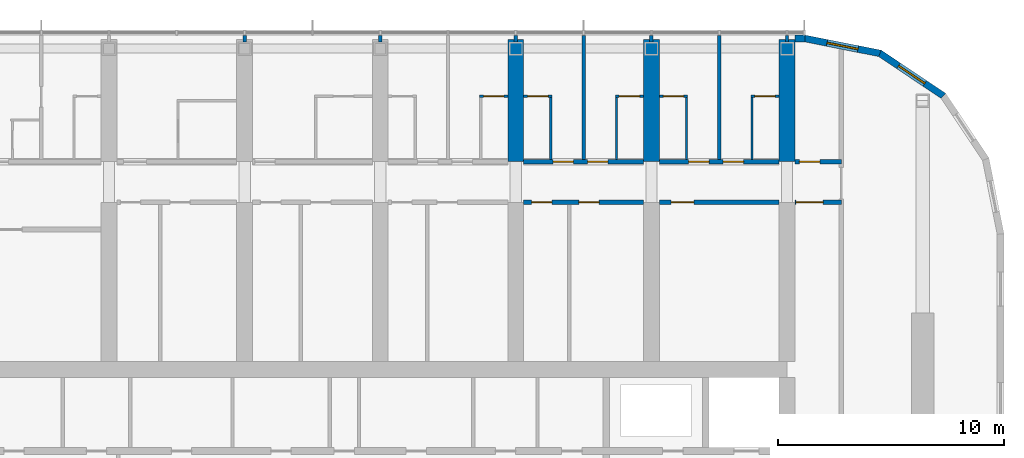
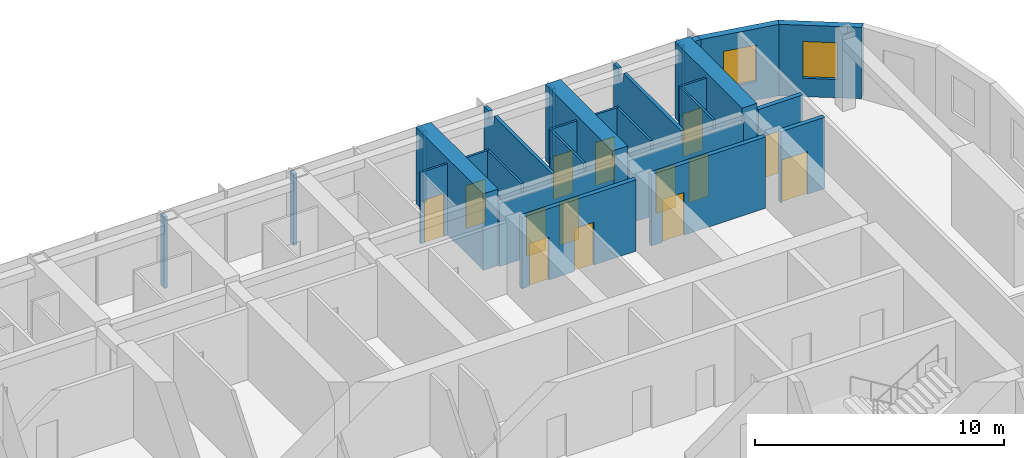
# One storey, part 18 of 24: 28 walls, 14 doors, 2 windows, 16 openings.
"""IFC4 building model written with IfcOpenShell, lengths in metres."""

from ifc_helpers import new_model, si_unit, direction, frame, frame_2d, origin, place, context, subcontext, project, spatial, polyline, rectangle, outline, extrude, material, layer, layer_set, type_object, element, fill, save


model = new_model("IFC4")

# Units and contexts
model_context = context("Model", 3, precision=1e-05, world=origin(), true_north=direction((0.0, 1.0)))
body_context = subcontext(model_context, "Body", "Model", "MODEL_VIEW")
ifc_project = project(units=[si_unit("LENGTHUNIT", "METRE"), si_unit("AREAUNIT", "SQUARE_METRE"), si_unit("VOLUMEUNIT", "CUBIC_METRE"), si_unit("PLANEANGLEUNIT", "RADIAN"), si_unit("MASSUNIT", "GRAM", prefix="KILO")], contexts=[model_context])

# Site, building, storey
site_placement = place(None, origin())
site = spatial("IfcSite", under=ifc_project, at=site_placement, CompositionType="ELEMENT")
building_placement = place(site_placement, origin())
building = spatial("IfcBuilding", under=site, at=building_placement, Name="Orbita Commons", CompositionType="ELEMENT")
storey_placement = place(building_placement, frame((0.0, 0.0, 235.300048828125)))
storey = spatial("IfcBuildingStorey", under=building, at=storey_placement, Name="L58", CompositionType="ELEMENT", Elevation=235.300048828125)

# Wall, openings, doors
ifc_material_1 = material(Name="Concrete blockwork", Category="masonry")
ifc_layer_1 = layer(ifc_material_1, 0.199951171875)
ifc_layer_set_1 = layer_set([ifc_layer_1], Name="Concrete blockwork")
wall_type_1 = type_object("IfcWallType", Name="Corridor wall 200 blockwork", PredefinedType="SOLIDWALL", material=ifc_layer_set_1)
wall_1_placement = place(storey_placement, frame((54.35009765625, 47.39990234375, 0.0), z_axis=(0.0, 0.0, 1.0), x_axis=(1.0, 0.0, 0.0)))
wall_1 = element("IfcWall", 1, at=wall_1_placement, inside=storey, type_object=wall_type_1, Name="Corridor wall 200 blockwork L58", PredefinedType="SOLIDWALL", context=body_context, shape_type="SweptSolid", body=[
    extrude(outline(polyline([(0.0, 0.0), (5.2998046875, 0.0), (5.300048828125, 3.099853515625), (0.0, 3.099853515625), (0.0, 0.0)])), frame((0.0, 0.10009765625, 0.0), z_axis=(0.0, -1.0, 0.0), x_axis=(1.0, 0.0, 0.0)), (0.0, 0.0, 1.0), 0.199951171875),
])
opening_1_placement = place(wall_1_placement, frame((1.300048828125, 0.0, 0.0)))
opening_1 = element("IfcOpeningElement", 2, at=opening_1_placement, cuts=wall_1, Name="Opening D11", PredefinedType="OPENING", context=body_context, shape_type="SweptSolid", body=[
    extrude(rectangle(XDim=0.89990234375, YDim=2.10009765625, at=frame_2d((0.449951171875, 1.050048828125))), frame((0.0, 0.10986328125, 0.0), z_axis=(0.0, -1.0, 0.0), x_axis=(1.0, 0.0, 0.0)), (0.0, 0.0, 1.0), 0.219970703125),
])
opening_2_placement = place(wall_1_placement, frame((2.824951171875, 0.0, 0.0)))
opening_2 = element("IfcOpeningElement", 3, at=opening_2_placement, cuts=wall_1, Name="Opening D11", PredefinedType="OPENING", context=body_context, shape_type="SweptSolid", body=[
    extrude(rectangle(XDim=0.89990234375, YDim=2.10009765625, at=frame_2d((0.449951171875, 1.050048828125))), frame((0.0, 0.10986328125, 0.0), z_axis=(0.0, -1.0, 0.0), x_axis=(1.0, 0.0, 0.0)), (0.0, 0.0, 1.0), 0.219970703125),
])
ifc_material_2 = material(Name="Steel-faced fire door leaf", Category="steel")
door_type_1 = type_object("IfcDoorType", Name="Corridor door 20 min 900x2100", OperationType="SINGLE_SWING_LEFT", PredefinedType="DOOR", material=ifc_material_2)
door_1_placement = place(opening_1_placement, origin())
door_1 = element("IfcDoor", 4, at=door_1_placement, inside=storey, type_object=door_type_1, Name="Cluster bedroom L58-N12 door", OperationType="SINGLE_SWING_LEFT", OverallHeight=2.10009765625, OverallWidth=0.89990234375, PredefinedType="DOOR", context=body_context, shape_type="SweptSolid", body=[
    extrude(rectangle(XDim=0.89990234375, YDim=2.10009765625, at=frame_2d((0.449951171875, 1.050048828125))), frame((0.0, 0.02490234375, 0.0), z_axis=(0.0, -1.0, 0.0), x_axis=(1.0, 0.0, 0.0)), (0.0, 0.0, 1.0), 0.050048828125),
])
fill(opening_1, door_1)
door_2_placement = place(opening_2_placement, origin())
door_2 = element("IfcDoor", 5, at=door_2_placement, inside=storey, type_object=door_type_1, Name="Cluster bedroom L58-N13 door", OperationType="SINGLE_SWING_LEFT", OverallHeight=2.10009765625, OverallWidth=0.89990234375, PredefinedType="DOOR", context=body_context, shape_type="SweptSolid", body=[
    extrude(rectangle(XDim=0.89990234375, YDim=2.10009765625, at=frame_2d((0.449951171875, 1.050048828125))), frame((0.0, 0.02490234375, 0.0), z_axis=(0.0, -1.0, 0.0), x_axis=(1.0, 0.0, 0.0)), (0.0, 0.0, 1.0), 0.050048828125),
])
fill(opening_2, door_2)

wall_2_placement = place(storey_placement, frame((60.35009765625, 47.39990234375, 0.0), z_axis=(0.0, 0.0, 1.0), x_axis=(1.0, 0.0, 0.0)))
wall_2 = element("IfcWall", 6, at=wall_2_placement, inside=storey, type_object=wall_type_1, Name="Corridor wall 200 blockwork L58", PredefinedType="SOLIDWALL", context=body_context, shape_type="SweptSolid", body=[
    extrude(outline(polyline([(0.0, 0.0), (5.2998046875, 0.0), (5.300048828125, 3.099853515625), (0.0, 3.099853515625), (0.0, 0.0)])), frame((0.0, 0.10009765625, 0.0), z_axis=(0.0, -1.0, 0.0), x_axis=(1.0, 0.0, 0.0)), (0.0, 0.0, 1.0), 0.199951171875),
])
opening_3_placement = place(wall_2_placement, frame((1.300048828125, 0.0, 0.0)))
opening_3 = element("IfcOpeningElement", 7, at=opening_3_placement, cuts=wall_2, Name="Opening D11", PredefinedType="OPENING", context=body_context, shape_type="SweptSolid", body=[
    extrude(rectangle(XDim=0.89990234375, YDim=2.10009765625, at=frame_2d((0.449951171875, 1.050048828125))), frame((0.0, 0.10986328125, 0.0), z_axis=(0.0, -1.0, 0.0), x_axis=(1.0, 0.0, 0.0)), (0.0, 0.0, 1.0), 0.219970703125),
])
opening_4_placement = place(wall_2_placement, frame((2.824951171875, 0.0, 0.0)))
opening_4 = element("IfcOpeningElement", 8, at=opening_4_placement, cuts=wall_2, Name="Opening D11", PredefinedType="OPENING", context=body_context, shape_type="SweptSolid", body=[
    extrude(rectangle(XDim=0.89990234375, YDim=2.10009765625, at=frame_2d((0.449951171875, 1.050048828125))), frame((0.0, 0.10986328125, 0.0), z_axis=(0.0, -1.0, 0.0), x_axis=(1.0, 0.0, 0.0)), (0.0, 0.0, 1.0), 0.219970703125),
])
door_3_placement = place(opening_3_placement, origin())
door_3 = element("IfcDoor", 9, at=door_3_placement, inside=storey, type_object=door_type_1, Name="Cluster bedroom L58-N14 door", OperationType="SINGLE_SWING_LEFT", OverallHeight=2.10009765625, OverallWidth=0.89990234375, PredefinedType="DOOR", context=body_context, shape_type="SweptSolid", body=[
    extrude(rectangle(XDim=0.89990234375, YDim=2.10009765625, at=frame_2d((0.449951171875, 1.050048828125))), frame((0.0, 0.02490234375, 0.0), z_axis=(0.0, -1.0, 0.0), x_axis=(1.0, 0.0, 0.0)), (0.0, 0.0, 1.0), 0.050048828125),
])
fill(opening_3, door_3)
door_4_placement = place(opening_4_placement, origin())
door_4 = element("IfcDoor", 10, at=door_4_placement, inside=storey, type_object=door_type_1, Name="Cluster bedroom L58-N15 door", OperationType="SINGLE_SWING_LEFT", OverallHeight=2.10009765625, OverallWidth=0.89990234375, PredefinedType="DOOR", context=body_context, shape_type="SweptSolid", body=[
    extrude(rectangle(XDim=0.89990234375, YDim=2.10009765625, at=frame_2d((0.449951171875, 1.050048828125))), frame((0.0, 0.02490234375, 0.0), z_axis=(0.0, -1.0, 0.0), x_axis=(1.0, 0.0, 0.0)), (0.0, 0.0, 1.0), 0.050048828125),
])
fill(opening_4, door_4)

# Wall, opening, door
wall_3_placement = place(storey_placement, frame((66.35009765625, 47.39990234375, 0.0), z_axis=(0.0, 0.0, 1.0), x_axis=(1.0, 0.0, 0.0)))
wall_3 = element("IfcWall", 11, at=wall_3_placement, inside=storey, type_object=wall_type_1, Name="Corridor wall 200 blockwork L58", PredefinedType="SOLIDWALL", context=body_context, shape_type="SweptSolid", body=[
    extrude(rectangle(XDim=2.0498046875, YDim=0.199951171875, at=frame_2d((1.02490234375, 0.0))), origin(), (0.0, 0.0, 1.0), 3.5),
])
opening_5_placement = place(wall_3_placement, frame((0.199951171875, 0.0, 0.0)))
opening_5 = element("IfcOpeningElement", 12, at=opening_5_placement, cuts=wall_3, Name="Opening D05", PredefinedType="OPENING", context=body_context, shape_type="SweptSolid", body=[
    extrude(rectangle(XDim=0.89990234375, YDim=2.10009765625, at=frame_2d((0.449951171875, 1.050048828125))), frame((0.0, 0.10986328125, 0.0), z_axis=(0.0, -1.0, 0.0), x_axis=(1.0, 0.0, 0.0)), (0.0, 0.0, 1.0), 0.219970703125),
])
ifc_material_3 = material(Name="Steel-faced fire door leaf", Category="steel")
door_type_2 = type_object("IfcDoorType", Name="Service door 20 min 900x2100", OperationType="SINGLE_SWING_LEFT", PredefinedType="DOOR", material=ifc_material_3)
door_5_placement = place(opening_5_placement, origin())
door_5 = element("IfcDoor", 13, at=door_5_placement, inside=storey, type_object=door_type_2, Name="Linen store L58-KEN door", OperationType="SINGLE_SWING_LEFT", OverallHeight=2.10009765625, OverallWidth=0.89990234375, PredefinedType="DOOR", context=body_context, shape_type="SweptSolid", body=[
    extrude(rectangle(XDim=0.89990234375, YDim=2.10009765625, at=frame_2d((0.449951171875, 1.050048828125))), frame((0.0, 0.02490234375, 0.0), z_axis=(0.0, -1.0, 0.0), x_axis=(1.0, 0.0, 0.0)), (0.0, 0.0, 1.0), 0.050048828125),
])
fill(opening_5, door_5)

# Wall, openings, doors
ifc_material_4 = material(Name="Hollow concrete block 200", Category="concrete")
ifc_layer_2 = layer(ifc_material_4, 0.199951171875)
ifc_layer_set_2 = layer_set([ifc_layer_2], Name="Hollow concrete block 200")
wall_type_2 = type_object("IfcWallType", Name="Corridor wall 200 hollow concrete block", PredefinedType="SOLIDWALL", material=ifc_layer_set_2)
wall_4_placement = place(storey_placement, frame((54.35009765625, 45.60009765625, 0.0), z_axis=(0.0, 0.0, 1.0), x_axis=(1.0, 0.0, 0.0)))
wall_4 = element("IfcWall", 14, at=wall_4_placement, inside=storey, type_object=wall_type_2, Name="Corridor wall 200 hollow concrete block L58", PredefinedType="SOLIDWALL", context=body_context, shape_type="SweptSolid", body=[
    extrude(rectangle(XDim=5.2998046875, YDim=0.199951171875, at=frame_2d((2.64990234375, 0.0))), origin(), (0.0, 0.0, 1.0), 3.5),
])
opening_6_placement = place(wall_4_placement, frame((0.35009765625, 0.0, 0.0)))
opening_6 = element("IfcOpeningElement", 15, at=opening_6_placement, cuts=wall_4, Name="Opening D11", PredefinedType="OPENING", context=body_context, shape_type="SweptSolid", body=[
    extrude(rectangle(XDim=0.89990234375, YDim=2.10009765625, at=frame_2d((0.449951171875, 1.050048828125))), frame((0.0, 0.10986328125, 0.0), z_axis=(0.0, -1.0, 0.0), x_axis=(1.0, 0.0, 0.0)), (0.0, 0.0, 1.0), 0.219970703125),
])
opening_7_placement = place(wall_4_placement, frame((2.43505859375, 0.0, 0.0)))
opening_7 = element("IfcOpeningElement", 16, at=opening_7_placement, cuts=wall_4, Name="Opening D11", PredefinedType="OPENING", context=body_context, shape_type="SweptSolid", body=[
    extrude(rectangle(XDim=0.89990234375, YDim=2.10009765625, at=frame_2d((0.449951171875, 1.050048828125))), frame((0.0, 0.10986328125, 0.0), z_axis=(0.0, -1.0, 0.0), x_axis=(1.0, 0.0, 0.0)), (0.0, 0.0, 1.0), 0.219970703125),
])
door_6_placement = place(opening_6_placement, origin())
door_6 = element("IfcDoor", 17, at=door_6_placement, inside=storey, type_object=door_type_1, Name="Sprinkler valve room L58-BDN54n door", OperationType="SINGLE_SWING_LEFT", OverallHeight=2.10009765625, OverallWidth=0.89990234375, PredefinedType="DOOR", context=body_context, shape_type="SweptSolid", body=[
    extrude(rectangle(XDim=0.89990234375, YDim=2.10009765625, at=frame_2d((0.449951171875, 1.050048828125))), frame((0.0, 0.02490234375, 0.0), z_axis=(0.0, -1.0, 0.0), x_axis=(1.0, 0.0, 0.0)), (0.0, 0.0, 1.0), 0.050048828125),
])
fill(opening_6, door_6)
door_7_placement = place(opening_7_placement, origin())
door_7 = element("IfcDoor", 18, at=door_7_placement, inside=storey, type_object=door_type_1, Name="Storage lockers L58-BDN54 door", OperationType="SINGLE_SWING_LEFT", OverallHeight=2.10009765625, OverallWidth=0.89990234375, PredefinedType="DOOR", context=body_context, shape_type="SweptSolid", body=[
    extrude(rectangle(XDim=0.89990234375, YDim=2.10009765625, at=frame_2d((0.449951171875, 1.050048828125))), frame((0.0, 0.02490234375, 0.0), z_axis=(0.0, -1.0, 0.0), x_axis=(1.0, 0.0, 0.0)), (0.0, 0.0, 1.0), 0.050048828125),
])
fill(opening_7, door_7)

# Wall, opening, door
wall_5_placement = place(storey_placement, frame((60.35009765625, 45.60009765625, 0.0), z_axis=(0.0, 0.0, 1.0), x_axis=(1.0, 0.0, 0.0)))
wall_5 = element("IfcWall", 19, at=wall_5_placement, inside=storey, type_object=wall_type_2, Name="Corridor wall 200 hollow concrete block L58", PredefinedType="SOLIDWALL", context=body_context, shape_type="SweptSolid", body=[
    extrude(rectangle(XDim=5.2998046875, YDim=0.199951171875, at=frame_2d((2.64990234375, 0.0))), origin(), (0.0, 0.0, 1.0), 3.5),
])
opening_8_placement = place(wall_5_placement, frame((0.52490234375, 0.0, 0.0)))
opening_8 = element("IfcOpeningElement", 20, at=opening_8_placement, cuts=wall_5, Name="Opening D06", PredefinedType="OPENING", context=body_context, shape_type="SweptSolid", body=[
    extrude(rectangle(XDim=1.0, YDim=2.10009765625, at=frame_2d((0.5, 1.050048828125))), frame((0.0, 0.10986328125, 0.0), z_axis=(0.0, -1.0, 0.0), x_axis=(1.0, 0.0, 0.0)), (0.0, 0.0, 1.0), 0.219970703125),
])
ifc_material_5 = material(Name="Steel-faced fire door leaf", Category="steel")
door_type_3 = type_object("IfcDoorType", Name="Corridor door 20 min 1000x2100", OperationType="SINGLE_SWING_LEFT", PredefinedType="DOOR", material=ifc_material_5)
door_8_placement = place(opening_8_placement, origin())
door_8 = element("IfcDoor", 21, at=door_8_placement, inside=storey, type_object=door_type_3, Name="Store L58-BDN60 door", OperationType="SINGLE_SWING_LEFT", OverallHeight=2.10009765625, OverallWidth=1.0, PredefinedType="DOOR", context=body_context, shape_type="SweptSolid", body=[
    extrude(rectangle(XDim=1.0, YDim=2.10009765625, at=frame_2d((0.5, 1.050048828125))), frame((0.0, 0.02490234375, 0.0), z_axis=(0.0, -1.0, 0.0), x_axis=(1.0, 0.0, 0.0)), (0.0, 0.0, 1.0), 0.050048828125),
])
fill(opening_8, door_8)

wall_6_placement = place(storey_placement, frame((66.35009765625, 45.60009765625, 0.0), z_axis=(0.0, 0.0, 1.0), x_axis=(1.0, 0.0, 0.0)))
wall_6 = element("IfcWall", 22, at=wall_6_placement, inside=storey, type_object=wall_type_2, Name="Corridor wall 200 hollow concrete block L58", PredefinedType="SOLIDWALL", context=body_context, shape_type="SweptSolid", body=[
    extrude(rectangle(XDim=2.0498046875, YDim=0.199951171875, at=frame_2d((1.02490234375, 0.0))), origin(), (0.0, 0.0, 1.0), 3.5),
])
opening_9_placement = place(wall_6_placement, frame((0.050048828125, 0.0, 0.0)))
opening_9 = element("IfcOpeningElement", 23, at=opening_9_placement, cuts=wall_6, Name="Opening D12", PredefinedType="OPENING", context=body_context, shape_type="SweptSolid", body=[
    extrude(rectangle(XDim=1.199951171875, YDim=2.10009765625, at=frame_2d((0.60009765625, 1.050048828125))), frame((0.0, 0.10986328125, 0.0), z_axis=(0.0, -1.0, 0.0), x_axis=(1.0, 0.0, 0.0)), (0.0, 0.0, 1.0), 0.219970703125),
])
ifc_material_6 = material(Name="Steel-faced fire door leaf", Category="steel")
door_type_4 = type_object("IfcDoorType", Name="Double corridor door 20 min 1200x2100", OperationType="DOUBLE_DOOR_SINGLE_SWING", PredefinedType="DOOR", material=ifc_material_6)
door_9_placement = place(opening_9_placement, origin())
door_9 = element("IfcDoor", 24, at=door_9_placement, inside=storey, type_object=door_type_4, Name="Cross corridor doors", OperationType="DOUBLE_DOOR_SINGLE_SWING", OverallHeight=2.10009765625, OverallWidth=1.199951171875, PredefinedType="DOOR", context=body_context, shape_type="SweptSolid", body=[
    extrude(rectangle(XDim=1.199951171875, YDim=2.10009765625, at=frame_2d((0.60009765625, 1.050048828125))), frame((0.0, 0.02490234375, 0.0), z_axis=(0.0, -1.0, 0.0), x_axis=(1.0, 0.0, 0.0)), (0.0, 0.0, 1.0), 0.050048828125),
])
fill(opening_9, door_9)

# Walls
ifc_material_7 = material(Name="Concrete C50/60", Category="concrete")
ifc_layer_3 = layer(ifc_material_7, 0.699951171875)
ifc_layer_set_3 = layer_set([ifc_layer_3], Name="Concrete C50/60")
wall_type_3 = type_object("IfcWallType", Name="Cross wall 700 C50/60", PredefinedType="SHEAR", material=ifc_layer_set_3)
for number, where, z_axis, x_axis, name in (
    (25, (54.0, 47.39990234375, 0.0), (0.0, 0.0, 1.0), (0.0, 1.0, 0.0), "Cross wall 10 north outer L58"),
    (26, (60.0, 47.39990234375, 0.0), (0.0, 0.0, 1.0), (0.0, 1.0, 0.0), "Cross wall 11 north outer L58"),
    (27, (66.0, 47.39990234375, 0.0), (0.0, 0.0, 1.0), (0.0, 1.0, 0.0), "Cross wall 12 north outer L58"),
):
    element("IfcWall", number, at=place(storey_placement, frame(where, z_axis=z_axis, x_axis=x_axis)), inside=storey, type_object=wall_type_3, Name=name, PredefinedType="SHEAR", context=body_context, shape_type="SweptSolid", body=[
        extrude(rectangle(XDim=5.400146484375, YDim=0.699951171875, at=frame_2d((2.7001953125, 0.0))), origin(), (0.0, 0.0, 1.0), 3.75),
    ])

# Wall, opening, door
ifc_material_8 = material(Name="Moisture-resistant plasterboard on steel studs", Category="steel")
ifc_layer_4 = layer(ifc_material_8, 0.10009765625)
ifc_layer_set_4 = layer_set([ifc_layer_4], Name="Moisture-resistant plasterboard on steel studs")
wall_type_4 = type_object("IfcWallType", Name="En-suite partition 100", PredefinedType="PARTITIONING", material=ifc_layer_set_4)
wall_7_placement = place(storey_placement, frame((52.39990234375, 50.300048828125, 0.0), z_axis=(0.0, 0.0, 1.0), x_axis=(1.0, 0.0, 0.0)))
wall_7 = element("IfcWall", 28, at=wall_7_placement, inside=storey, type_object=wall_type_4, Name="En-suite partition 100 L58", PredefinedType="PARTITIONING", context=body_context, shape_type="SweptSolid", body=[
    extrude(rectangle(XDim=1.25, YDim=0.10009765625, at=frame_2d((0.625, 0.0))), origin(), (0.0, 0.0, 1.0), 3.5),
])
opening_10_placement = place(wall_7_placement, frame((0.175048828125, 0.0, 0.0)))
opening_10 = element("IfcOpeningElement", 29, at=opening_10_placement, cuts=wall_7, Name="Opening D09", PredefinedType="OPENING", context=body_context, shape_type="SweptSolid", body=[
    extrude(rectangle(XDim=0.89990234375, YDim=2.10009765625, at=frame_2d((0.449951171875, 1.050048828125))), frame((0.0, 0.06005859375, 0.0), z_axis=(0.0, -1.0, 0.0), x_axis=(1.0, 0.0, 0.0)), (0.0, 0.0, 1.0), 0.1201171875),
])
ifc_material_9 = material(Name="Laminated timber door leaf", Category="wood")
door_type_5 = type_object("IfcDoorType", Name="En-suite door 900x2100", OperationType="SINGLE_SWING_RIGHT", PredefinedType="DOOR", material=ifc_material_9)
door_10_placement = place(opening_10_placement, origin())
door_10 = element("IfcDoor", 30, at=door_10_placement, inside=storey, type_object=door_type_5, Name="En-suite L58-N11 door", OperationType="SINGLE_SWING_RIGHT", OverallHeight=2.10009765625, OverallWidth=0.89990234375, PredefinedType="DOOR", context=body_context, shape_type="SweptSolid", body=[
    extrude(rectangle(XDim=0.89990234375, YDim=2.10009765625, at=frame_2d((0.449951171875, 1.050048828125))), frame((0.0, 0.02490234375, 0.0), z_axis=(0.0, -1.0, 0.0), x_axis=(1.0, 0.0, 0.0)), (0.0, 0.0, 1.0), 0.050048828125),
])
fill(opening_10, door_10)

wall_8_placement = place(storey_placement, frame((54.35009765625, 50.300048828125, 0.0), z_axis=(0.0, 0.0, 1.0), x_axis=(1.0, 0.0, 0.0)))
wall_8 = element("IfcWall", 31, at=wall_8_placement, inside=storey, type_object=wall_type_4, Name="En-suite partition 100 L58", PredefinedType="PARTITIONING", context=body_context, shape_type="SweptSolid", body=[
    extrude(rectangle(XDim=1.25, YDim=0.10009765625, at=frame_2d((0.625, 0.0))), origin(), (0.0, 0.0, 1.0), 3.5),
])
opening_11_placement = place(wall_8_placement, frame((0.175048828125, 0.0, 0.0)))
opening_11 = element("IfcOpeningElement", 32, at=opening_11_placement, cuts=wall_8, Name="Opening D09", PredefinedType="OPENING", context=body_context, shape_type="SweptSolid", body=[
    extrude(rectangle(XDim=0.89990234375, YDim=2.10009765625, at=frame_2d((0.449951171875, 1.050048828125))), frame((0.0, 0.06005859375, 0.0), z_axis=(0.0, -1.0, 0.0), x_axis=(1.0, 0.0, 0.0)), (0.0, 0.0, 1.0), 0.1201171875),
])
door_11_placement = place(opening_11_placement, origin())
door_11 = element("IfcDoor", 33, at=door_11_placement, inside=storey, type_object=door_type_5, Name="En-suite L58-N12 door", OperationType="SINGLE_SWING_RIGHT", OverallHeight=2.10009765625, OverallWidth=0.89990234375, PredefinedType="DOOR", context=body_context, shape_type="SweptSolid", body=[
    extrude(rectangle(XDim=0.89990234375, YDim=2.10009765625, at=frame_2d((0.449951171875, 1.050048828125))), frame((0.0, 0.02490234375, 0.0), z_axis=(0.0, -1.0, 0.0), x_axis=(1.0, 0.0, 0.0)), (0.0, 0.0, 1.0), 0.050048828125),
])
fill(opening_11, door_11)

# Wall
wall_9_placement = place(storey_placement, frame((55.550048828125, 50.25, 0.0), z_axis=(0.0, 0.0, 1.0), x_axis=(0.0, -1.0, 0.0)))
element("IfcWall", 34, at=wall_9_placement, inside=storey, type_object=wall_type_4, Name="En-suite partition 100 L58", PredefinedType="PARTITIONING", context=body_context, shape_type="SweptSolid", body=[
    extrude(outline(polyline([(0.0, 0.0), (2.75, 0.0), (2.75, 3.099853515625), (2.701904296875, 3.099853515625), (2.699951171875, 3.5), (0.0, 3.5), (0.0, 0.0)])), frame((0.0, 0.050048828125, 0.0), z_axis=(0.0, -1.0, 0.0), x_axis=(1.0, 0.0, 0.0)), (0.0, 0.0, 1.0), 0.10009765625),
])

# Wall, opening, door
wall_10_placement = place(storey_placement, frame((58.39990234375, 50.300048828125, 0.0), z_axis=(0.0, 0.0, 1.0), x_axis=(1.0, 0.0, 0.0)))
wall_10 = element("IfcWall", 35, at=wall_10_placement, inside=storey, type_object=wall_type_4, Name="En-suite partition 100 L58", PredefinedType="PARTITIONING", context=body_context, shape_type="SweptSolid", body=[
    extrude(rectangle(XDim=1.25, YDim=0.10009765625, at=frame_2d((0.625, 0.0))), origin(), (0.0, 0.0, 1.0), 3.5),
])
opening_12_placement = place(wall_10_placement, frame((0.175048828125, 0.0, 0.0)))
opening_12 = element("IfcOpeningElement", 36, at=opening_12_placement, cuts=wall_10, Name="Opening D09", PredefinedType="OPENING", context=body_context, shape_type="SweptSolid", body=[
    extrude(rectangle(XDim=0.89990234375, YDim=2.10009765625, at=frame_2d((0.449951171875, 1.050048828125))), frame((0.0, 0.06005859375, 0.0), z_axis=(0.0, -1.0, 0.0), x_axis=(1.0, 0.0, 0.0)), (0.0, 0.0, 1.0), 0.1201171875),
])
door_12_placement = place(opening_12_placement, origin())
door_12 = element("IfcDoor", 37, at=door_12_placement, inside=storey, type_object=door_type_5, Name="En-suite L58-N13 door", OperationType="SINGLE_SWING_RIGHT", OverallHeight=2.10009765625, OverallWidth=0.89990234375, PredefinedType="DOOR", context=body_context, shape_type="SweptSolid", body=[
    extrude(rectangle(XDim=0.89990234375, YDim=2.10009765625, at=frame_2d((0.449951171875, 1.050048828125))), frame((0.0, 0.02490234375, 0.0), z_axis=(0.0, -1.0, 0.0), x_axis=(1.0, 0.0, 0.0)), (0.0, 0.0, 1.0), 0.050048828125),
])
fill(opening_12, door_12)

# Wall
wall_11_placement = place(storey_placement, frame((58.449951171875, 50.25, 0.0), z_axis=(0.0, 0.0, 1.0), x_axis=(0.0, -1.0, 0.0)))
element("IfcWall", 38, at=wall_11_placement, inside=storey, type_object=wall_type_4, Name="En-suite partition 100 L58", PredefinedType="PARTITIONING", context=body_context, shape_type="SweptSolid", body=[
    extrude(outline(polyline([(0.0, 0.0), (2.75, 0.0), (2.75, 3.099853515625), (2.701904296875, 3.099853515625), (2.699951171875, 3.5), (0.0, 3.5), (0.0, 0.0)])), frame((0.0, 0.050048828125, 0.0), z_axis=(0.0, -1.0, 0.0), x_axis=(1.0, 0.0, 0.0)), (0.0, 0.0, 1.0), 0.10009765625),
])

# Wall, opening, door
wall_12_placement = place(storey_placement, frame((60.35009765625, 50.300048828125, 0.0), z_axis=(0.0, 0.0, 1.0), x_axis=(1.0, 0.0, 0.0)))
wall_12 = element("IfcWall", 39, at=wall_12_placement, inside=storey, type_object=wall_type_4, Name="En-suite partition 100 L58", PredefinedType="PARTITIONING", context=body_context, shape_type="SweptSolid", body=[
    extrude(rectangle(XDim=1.25, YDim=0.10009765625, at=frame_2d((0.625, 0.0))), origin(), (0.0, 0.0, 1.0), 3.5),
])
opening_13_placement = place(wall_12_placement, frame((0.175048828125, 0.0, 0.0)))
opening_13 = element("IfcOpeningElement", 40, at=opening_13_placement, cuts=wall_12, Name="Opening D09", PredefinedType="OPENING", context=body_context, shape_type="SweptSolid", body=[
    extrude(rectangle(XDim=0.89990234375, YDim=2.10009765625, at=frame_2d((0.449951171875, 1.050048828125))), frame((0.0, 0.06005859375, 0.0), z_axis=(0.0, -1.0, 0.0), x_axis=(1.0, 0.0, 0.0)), (0.0, 0.0, 1.0), 0.1201171875),
])
door_13_placement = place(opening_13_placement, origin())
door_13 = element("IfcDoor", 41, at=door_13_placement, inside=storey, type_object=door_type_5, Name="En-suite L58-N14 door", OperationType="SINGLE_SWING_RIGHT", OverallHeight=2.10009765625, OverallWidth=0.89990234375, PredefinedType="DOOR", context=body_context, shape_type="SweptSolid", body=[
    extrude(rectangle(XDim=0.89990234375, YDim=2.10009765625, at=frame_2d((0.449951171875, 1.050048828125))), frame((0.0, 0.02490234375, 0.0), z_axis=(0.0, -1.0, 0.0), x_axis=(1.0, 0.0, 0.0)), (0.0, 0.0, 1.0), 0.050048828125),
])
fill(opening_13, door_13)

# Wall
wall_13_placement = place(storey_placement, frame((61.550048828125, 50.25, 0.0), z_axis=(0.0, 0.0, 1.0), x_axis=(0.0, -1.0, 0.0)))
element("IfcWall", 42, at=wall_13_placement, inside=storey, type_object=wall_type_4, Name="En-suite partition 100 L58", PredefinedType="PARTITIONING", context=body_context, shape_type="SweptSolid", body=[
    extrude(outline(polyline([(0.0, 0.0), (2.75, 0.0), (2.75, 3.099853515625), (2.701904296875, 3.099853515625), (2.699951171875, 3.5), (0.0, 3.5), (0.0, 0.0)])), frame((0.0, 0.050048828125, 0.0), z_axis=(0.0, -1.0, 0.0), x_axis=(1.0, 0.0, 0.0)), (0.0, 0.0, 1.0), 0.10009765625),
])

# Wall, opening, door
wall_14_placement = place(storey_placement, frame((64.39990234375, 50.300048828125, 0.0), z_axis=(0.0, 0.0, 1.0), x_axis=(1.0, 0.0, 0.0)))
wall_14 = element("IfcWall", 43, at=wall_14_placement, inside=storey, type_object=wall_type_4, Name="En-suite partition 100 L58", PredefinedType="PARTITIONING", context=body_context, shape_type="SweptSolid", body=[
    extrude(rectangle(XDim=1.25, YDim=0.10009765625, at=frame_2d((0.625, 0.0))), origin(), (0.0, 0.0, 1.0), 3.5),
])
opening_14_placement = place(wall_14_placement, frame((0.175048828125, 0.0, 0.0)))
opening_14 = element("IfcOpeningElement", 44, at=opening_14_placement, cuts=wall_14, Name="Opening D09", PredefinedType="OPENING", context=body_context, shape_type="SweptSolid", body=[
    extrude(rectangle(XDim=0.89990234375, YDim=2.10009765625, at=frame_2d((0.449951171875, 1.050048828125))), frame((0.0, 0.06005859375, 0.0), z_axis=(0.0, -1.0, 0.0), x_axis=(1.0, 0.0, 0.0)), (0.0, 0.0, 1.0), 0.1201171875),
])
door_14_placement = place(opening_14_placement, origin())
door_14 = element("IfcDoor", 45, at=door_14_placement, inside=storey, type_object=door_type_5, Name="En-suite L58-N15 door", OperationType="SINGLE_SWING_RIGHT", OverallHeight=2.10009765625, OverallWidth=0.89990234375, PredefinedType="DOOR", context=body_context, shape_type="SweptSolid", body=[
    extrude(rectangle(XDim=0.89990234375, YDim=2.10009765625, at=frame_2d((0.449951171875, 1.050048828125))), frame((0.0, 0.02490234375, 0.0), z_axis=(0.0, -1.0, 0.0), x_axis=(1.0, 0.0, 0.0)), (0.0, 0.0, 1.0), 0.050048828125),
])
fill(opening_14, door_14)

# Walls
wall_15_placement = place(storey_placement, frame((64.449951171875, 50.25, 0.0), z_axis=(0.0, 0.0, 1.0), x_axis=(0.0, -1.0, 0.0)))
element("IfcWall", 46, at=wall_15_placement, inside=storey, type_object=wall_type_4, Name="En-suite partition 100 L58", PredefinedType="PARTITIONING", context=body_context, shape_type="SweptSolid", body=[
    extrude(outline(polyline([(0.0, 0.0), (2.75, 0.0), (2.75, 3.099853515625), (2.701904296875, 3.099853515625), (2.699951171875, 3.5), (0.0, 3.5), (0.0, 0.0)])), frame((0.0, 0.050048828125, 0.0), z_axis=(0.0, -1.0, 0.0), x_axis=(1.0, 0.0, 0.0)), (0.0, 0.0, 1.0), 0.10009765625),
])
ifc_material_10 = material(Name="Gypsum plasterboard on steel studs", Category="steel")
ifc_layer_5 = layer(ifc_material_10, 0.14990234375)
ifc_layer_set_5 = layer_set([ifc_layer_5], Name="Gypsum plasterboard on steel studs")
wall_type_5 = type_object("IfcWallType", Name="Partition 150 plasterboard", PredefinedType="PARTITIONING", material=ifc_layer_set_5)
for number, where, z_axis, x_axis, name in (
    (47, (42.0, 52.699951171875, 0.0), (0.0, 0.0, 1.0), (0.0, 1.0, 0.0), "Partition 150 plasterboard L58"),
    (48, (48.0, 52.699951171875, 0.0), (0.0, 0.0, 1.0), (0.0, 1.0, 0.0), "Partition 150 plasterboard L58"),
    (49, (54.0, 52.699951171875, 0.0), (0.0, 0.0, 1.0), (0.0, 1.0, 0.0), "Partition 150 plasterboard L58"),
    (50, (60.0, 52.699951171875, 0.0), (0.0, 0.0, 1.0), (0.0, 1.0, 0.0), "Partition 150 plasterboard L58"),
    (51, (66.0, 52.699951171875, 0.0), (0.0, 0.0, 1.0), (0.0, 1.0, 0.0), "Partition 150 plasterboard L58"),
):
    element("IfcWall", number, at=place(storey_placement, frame(where, z_axis=z_axis, x_axis=x_axis)), inside=storey, type_object=wall_type_5, Name=name, PredefinedType="PARTITIONING", context=body_context, shape_type="SweptSolid", body=[
        extrude(rectangle(XDim=0.2900390625, YDim=0.14990234375, at=frame_2d((0.14501953125, 0.0))), origin(), (0.0, 0.0, 1.0), 3.5),
    ])
ifc_material_11 = material(Name="Gypsum plasterboard on steel studs", Category="steel")
ifc_layer_6 = layer(ifc_material_11, 0.14990234375)
ifc_layer_set_6 = layer_set([ifc_layer_6], Name="Gypsum plasterboard on steel studs")
wall_type_6 = type_object("IfcWallType", Name="Party wall 150 plasterboard", PredefinedType="PARTITIONING", material=ifc_layer_set_6)
for number, where, z_axis, x_axis, name in (
    (52, (57.0, 52.989990234375, 0.0), (0.0, 0.0, 1.0), (0.0, -1.0, 0.0), "Party wall 150 plasterboard L58"),
    (53, (63.0, 52.989990234375, 0.0), (0.0, 0.0, 1.0), (0.0, -1.0, 0.0), "Party wall 150 plasterboard L58"),
):
    element("IfcWall", number, at=place(storey_placement, frame(where, z_axis=z_axis, x_axis=x_axis)), inside=storey, type_object=wall_type_6, Name=name, PredefinedType="PARTITIONING", context=body_context, shape_type="SweptSolid", body=[
        extrude(outline(polyline([(0.0, 0.0), (5.489990234375, 0.0), (5.489990234375, 3.099853515625), (5.44189453125, 3.099853515625), (5.43994140625, 3.5), (0.7919921875, 3.5), (0.7900390625, 3.099853515625), (0.39208984375, 3.099853515625), (0.389892578125, 3.5), (0.0, 3.5), (0.0, 0.0)])), frame((0.0, 0.074951171875, 0.0), z_axis=(0.0, -1.0, 0.0), x_axis=(1.0, 0.0, 0.0)), (0.0, 0.0, 1.0), 0.14990234375),
    ])

# Wall, opening, window
ifc_material_12 = material(Name="Precast concrete C40/50, white board-marked finish", Category="concrete")
ifc_layer_7 = layer(ifc_material_12, 0.300048828125)
ifc_layer_set_7 = layer_set([ifc_layer_7], Name="Precast concrete C40/50, white board-marked finish")
wall_type_7 = type_object("IfcWallType", Name="Precast concrete end shield 300", PredefinedType="SOLIDWALL", material=ifc_layer_set_7)
wall_16_placement = place(storey_placement, frame((72.91650390625, 50.31640625, 0.0), z_axis=(0.0, 0.0, 1.0), x_axis=(-0.831460037396, 0.555584562613, 0.0)))
wall_16 = element("IfcWall", 54, at=wall_16_placement, inside=storey, type_object=wall_type_7, Name="End shield NE chord 3 L58", PredefinedType="SOLIDWALL", context=body_context, shape_type="SweptSolid", body=[
    extrude(outline(polyline([(-0.02978515625, -0.14990234375), (3.405029296875, -0.14990234375), (3.345458984375, 0.14990234375), (0.02978515625, 0.14990234375), (-0.02978515625, -0.14990234375)])), origin(), (0.0, 0.0, 1.0), 3.5),
])
opening_15_placement = place(wall_16_placement, frame((0.987548828125, 0.0, 0.89990234375)))
opening_15 = element("IfcOpeningElement", 55, at=opening_15_placement, cuts=wall_16, Name="Opening W02", PredefinedType="OPENING", context=body_context, shape_type="SweptSolid", body=[
    extrude(rectangle(XDim=1.39990234375, YDim=1.800048828125, at=frame_2d((0.699951171875, 0.89990234375))), frame((0.0, 0.159912109375, 0.0), z_axis=(0.0, -1.0, 0.0), x_axis=(1.0, 0.0, 0.0)), (0.0, 0.0, 1.0), 0.320068359375),
])
ifc_material_13 = material(Name="Aluminium frame, clear double glazing", Category="aluminium")
window_type = type_object("IfcWindowType", Name="Deep-set window 1400x1800", PartitioningType="SINGLE_PANEL", PredefinedType="WINDOW", material=ifc_material_13)
window_1_placement = place(opening_15_placement, origin())
window_1 = element("IfcWindow", 56, at=window_1_placement, inside=storey, type_object=window_type, Name="Window L58-NE2", OverallHeight=1.800048828125, OverallWidth=1.39990234375, PartitioningType="SINGLE_PANEL", PredefinedType="WINDOW", context=body_context, shape_type="SweptSolid", body=[
    extrude(rectangle(XDim=1.39990234375, YDim=1.800048828125, at=frame_2d((0.699951171875, 0.89990234375))), frame((0.0, 0.030029296875, 0.0), z_axis=(0.0, -1.0, 0.0), x_axis=(1.0, 0.0, 0.0)), (0.0, 0.0, 1.0), 0.06005859375),
])
fill(opening_15, window_1)

wall_17_placement = place(storey_placement, frame((70.110107421875, 52.191650390625, 0.0), z_axis=(0.0, 0.0, 1.0), x_axis=(-0.98078325777, 0.195100490205, 0.0)))
wall_17 = element("IfcWall", 57, at=wall_17_placement, inside=storey, type_object=wall_type_7, Name="End shield NE chord 4 L58", PredefinedType="SOLIDWALL", context=body_context, shape_type="SweptSolid", body=[
    extrude(outline(polyline([(-0.02978515625, -0.14990234375), (3.40478515625, -0.14990234375), (3.34521484375, 0.14990234375), (0.02978515625, 0.14990234375), (-0.02978515625, -0.14990234375)])), origin(), (0.0, 0.0, 1.0), 3.5),
])
opening_16_placement = place(wall_17_placement, frame((0.987548828125, 0.0, 0.89990234375)))
opening_16 = element("IfcOpeningElement", 58, at=opening_16_placement, cuts=wall_17, Name="Opening W02", PredefinedType="OPENING", context=body_context, shape_type="SweptSolid", body=[
    extrude(rectangle(XDim=1.39990234375, YDim=1.800048828125, at=frame_2d((0.699951171875, 0.89990234375))), frame((0.0, 0.159912109375, 0.0), z_axis=(0.0, -1.0, 0.0), x_axis=(1.0, 0.0, 0.0)), (0.0, 0.0, 1.0), 0.320068359375),
])
window_2_placement = place(opening_16_placement, origin())
window_2 = element("IfcWindow", 59, at=window_2_placement, inside=storey, type_object=window_type, Name="Window L58-NE3", OverallHeight=1.800048828125, OverallWidth=1.39990234375, PartitioningType="SINGLE_PANEL", PredefinedType="WINDOW", context=body_context, shape_type="SweptSolid", body=[
    extrude(rectangle(XDim=1.39990234375, YDim=1.800048828125, at=frame_2d((0.699951171875, 0.89990234375))), frame((0.0, 0.030029296875, 0.0), z_axis=(0.0, -1.0, 0.0), x_axis=(1.0, 0.0, 0.0)), (0.0, 0.0, 1.0), 0.06005859375),
])
fill(opening_16, window_2)

# Wall
wall_18_placement = place(storey_placement, frame((66.800048828125, 52.85009765625, 0.0), z_axis=(0.0, 0.0, 1.0), x_axis=(-1.0, 0.0, 0.0)))
element("IfcWall", 60, at=wall_18_placement, inside=storey, type_object=wall_type_7, Name="End shield NE closer L58", PredefinedType="SOLIDWALL", context=body_context, shape_type="SweptSolid", body=[
    extrude(rectangle(XDim=0.449951171875, YDim=0.300048828125, at=frame_2d((0.22509765625, 0.0))), origin(), (0.0, 0.0, 1.0), 3.5),
])

save(model, "model.ifc")
